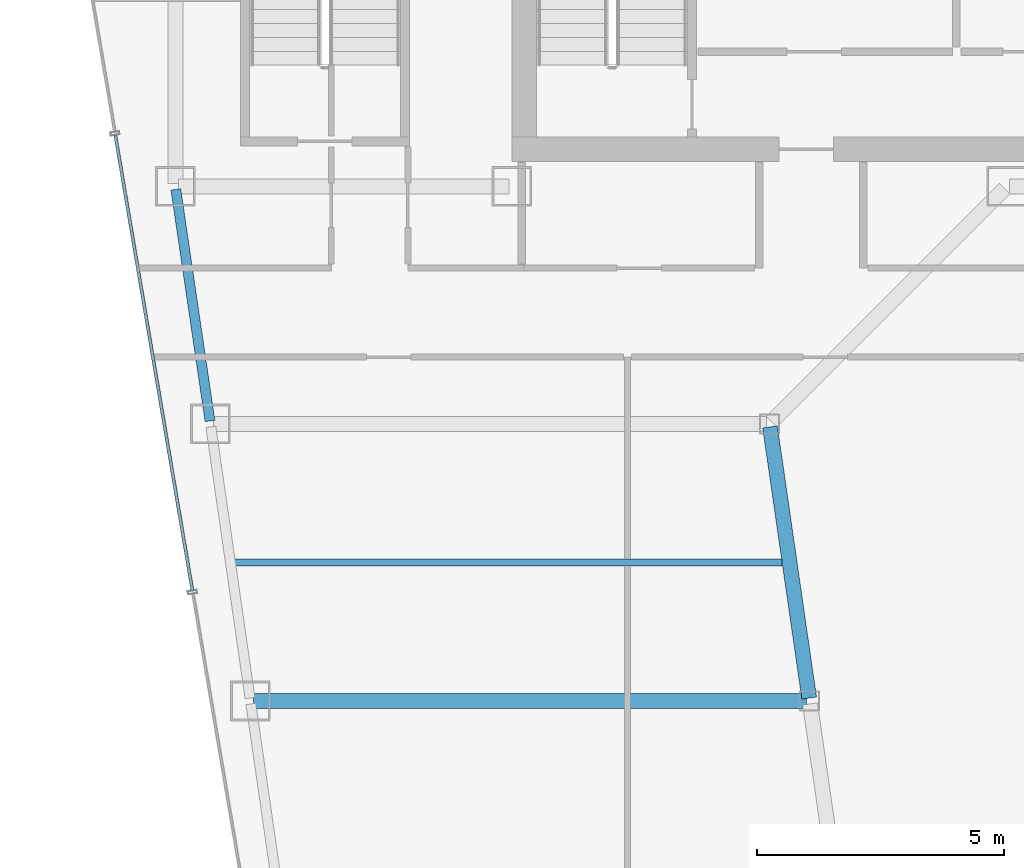
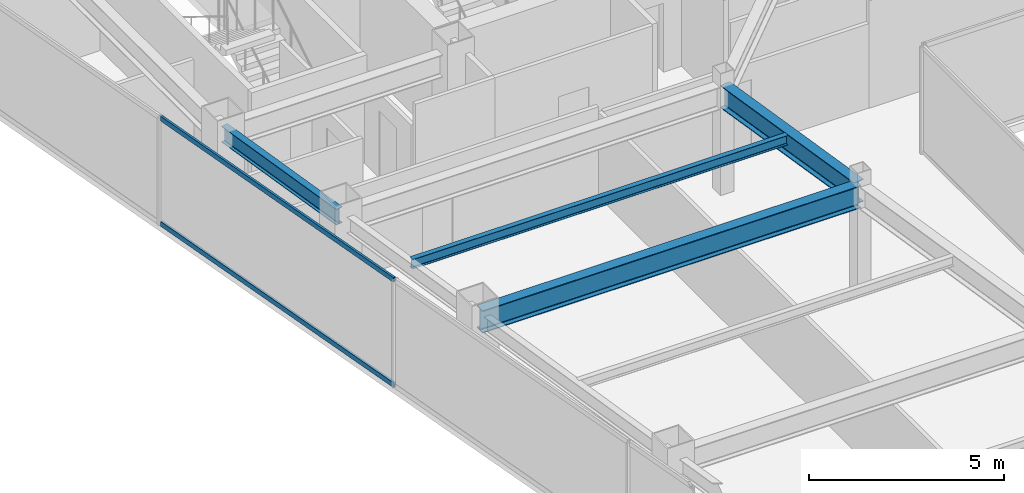
# One storey, part 10 of 34: 4 beams, 2 members, 1 element without a shape of its own.
"""IFC4 building model written with IfcOpenShell, lengths in metres."""

from ifc_helpers import new_model, si_unit, direction, frame, origin, origin_2d, place, context, subcontext, project, spatial, hollow_rectangle, i_section, extrude, material, material_profile, profile_set, type_object, element, aggregate, save


model = new_model("IFC4")

# Units and contexts
model_context = context("Model", 3, precision=1e-05, world=origin(), true_north=direction((0.0, 1.0)))
body_context = subcontext(model_context, "Body", "Model", "MODEL_VIEW")
ifc_project = project(units=[si_unit("LENGTHUNIT", "METRE"), si_unit("AREAUNIT", "SQUARE_METRE"), si_unit("VOLUMEUNIT", "CUBIC_METRE"), si_unit("PLANEANGLEUNIT", "RADIAN"), si_unit("MASSUNIT", "GRAM", prefix="KILO")], contexts=[model_context])

# Site, building, storey
site_placement = place(None, origin())
site = spatial("IfcSite", under=ifc_project, at=site_placement, CompositionType="ELEMENT")
building_placement = place(site_placement, origin())
building = spatial("IfcBuilding", under=site, at=building_placement, Name="Saevonmaru Cultural Tower", CompositionType="ELEMENT")
storey_placement = place(building_placement, frame((0.0, 0.0, 220.800048828125)))
storey = spatial("IfcBuildingStorey", under=building, at=storey_placement, Name="L51", CompositionType="ELEMENT", Elevation=220.800048828125)

# Beams
ifc_material_1 = material(Name="Steel SM355", Category="steel")
ifc_material_profile_1 = material_profile(ifc_material_1, i_section(OverallWidth=0.300048828125, OverallDepth=0.699951171875, WebThickness=0.012939453125, FlangeThickness=0.02392578125, FilletRadius=0.02587890625, at=origin_2d()), Name="H-700x300x13x24")
ifc_profile_set_1 = profile_set([ifc_material_profile_1], Name="Steel SM355")
beam_type_1 = type_object("IfcBeamType", Name="BM-G-H700", PredefinedType="BEAM", material=ifc_profile_set_1)
beam_1_placement = place(storey_placement, frame((19.6083984375, 32.059326171875, 3.0), z_axis=(-0.142964121327, 0.989727871697, 0.0), x_axis=(-0.989727871697, -0.142964121327, 0.0)))
element("IfcBeam", 1, at=beam_1_placement, inside=storey, type_object=beam_type_1, Name="L51 West Atrium Girder 3", PredefinedType="BEAM", context=body_context, shape_type="SweptSolid", body=[
    extrude(i_section(OverallWidth=0.300048828125, OverallDepth=0.699951171875, WebThickness=0.012939453125, FlangeThickness=0.02392578125, FilletRadius=0.02587890625, at=origin_2d()), origin(), (0.0, 0.0, 1.0), 5.5380859375),
])
beam_2_placement = place(storey_placement, frame((8.376953125, 32.0, 3.0), z_axis=(1.0, 0.0, 0.0), x_axis=(0.0, 1.0, 0.0)))
element("IfcBeam", 2, at=beam_2_placement, inside=storey, type_object=beam_type_1, Name="L51 West Wing Transverse Girder 3", PredefinedType="BEAM", context=body_context, shape_type="SweptSolid", body=[
    extrude(i_section(OverallWidth=0.300048828125, OverallDepth=0.699951171875, WebThickness=0.012939453125, FlangeThickness=0.02392578125, FilletRadius=0.02587890625, at=origin_2d()), origin(), (0.0, 0.0, 1.0), 11.179931640625),
])
ifc_material_profile_2 = material_profile(ifc_material_1, i_section(OverallWidth=0.14990234375, OverallDepth=0.300048828125, WebThickness=0.006591796875, FlangeThickness=0.009033203125, FilletRadius=0.012939453125, at=origin_2d()), Name="H-300x150x6.5x9")
ifc_profile_set_2 = profile_set([ifc_material_profile_2], Name="Steel SM355")
beam_type_2 = type_object("IfcBeamType", Name="BM-J-H300", PredefinedType="JOIST", material=ifc_profile_set_2)
beam_3_placement = place(storey_placement, frame((7.972412109375, 34.800048828125, 3.199951171875), z_axis=(1.0, 0.0, 0.0), x_axis=(0.0, 1.0, 0.0)))
element("IfcBeam", 3, at=beam_3_placement, inside=storey, type_object=beam_type_2, Name="L51 West Wing Floor Joist 3", PredefinedType="JOIST", context=body_context, shape_type="SweptSolid", body=[
    extrude(i_section(OverallWidth=0.14990234375, OverallDepth=0.300048828125, WebThickness=0.006591796875, FlangeThickness=0.009033203125, FilletRadius=0.012939453125, at=origin_2d()), origin(), (0.0, 0.0, 1.0), 11.08203125),
])
ifc_material_profile_3 = material_profile(ifc_material_1, i_section(OverallWidth=0.199951171875, OverallDepth=0.5, WebThickness=0.010009765625, FlangeThickness=0.01611328125, FilletRadius=0.02001953125, at=origin_2d()), Name="H-500x200x10x16")
ifc_profile_set_3 = profile_set([ifc_material_profile_3], Name="Steel SM355")
beam_type_3 = type_object("IfcBeamType", Name="BM-SP-H500", PredefinedType="SPANDREL", material=ifc_profile_set_3)
beam_4_placement = place(storey_placement, frame((7.499267578125, 37.659423828125, 3.099853515625), z_axis=(-0.145912860028, 0.989297446312, 0.0), x_axis=(-0.989297446312, -0.145912860028, 0.0)))
element("IfcBeam", 4, at=beam_4_placement, inside=storey, type_object=beam_type_3, Name="L51 West Splayed Spandrel 4", PredefinedType="SPANDREL", context=body_context, shape_type="SweptSolid", body=[
    extrude(i_section(OverallWidth=0.199951171875, OverallDepth=0.5, WebThickness=0.010009765625, FlangeThickness=0.01611328125, FilletRadius=0.02001953125, at=origin_2d()), origin(), (0.0, 0.0, 1.0), 4.731689453125),
])

# Curtain wall, members
ifc_material_2 = material(Name="Satin Bronze Anodised Aluminium", Category="aluminium")
curtain_wall_type = type_object("IfcCurtainWallType", Name="CW-TYP-B", PredefinedType="NOTDEFINED", material=ifc_material_2)
curtain_wall_placement = place(storey_placement, origin())
curtain_wall = element("IfcCurtainWall", 5, at=curtain_wall_placement, inside=storey, type_object=curtain_wall_type, Name="L51 Unitised Curtain Wall E12", PredefinedType="NOTDEFINED")
ifc_material_profile_4 = material_profile(ifc_material_2, hollow_rectangle(XDim=0.06494140625, YDim=0.14990234375, WallThickness=0.00390625, at=origin_2d()), Name="ALU-TRAN-150x65x4")
ifc_profile_set_4 = profile_set([ifc_material_profile_4], Name="Satin Bronze Anodised Aluminium")
member_type = type_object("IfcMemberType", Name="TR-CW-150x65", PredefinedType="USERDEFINED", material=ifc_profile_set_4)
member_1_placement = place(storey_placement, frame((5.5849609375, 43.4384765625, 0.032470703125), z_axis=(0.166916960754, -0.985970957084, 0.0), x_axis=(0.985970957084, 0.166916960754, 0.0)))
member_1 = element("IfcMember", 6, at=member_1_placement, type_object=member_type, Name="CW-TW-L51-E12 transom 2.1", ObjectType="TRANSOM", PredefinedType="USERDEFINED", context=body_context, shape_type="SweptSolid", body=[
    extrude(hollow_rectangle(XDim=0.06494140625, YDim=0.14990234375, WallThickness=0.00390625, at=origin_2d()), origin(), (0.0, 0.0, 1.0), 9.337646484375),
])
member_2_placement = place(storey_placement, frame((5.5849609375, 43.4384765625, 3.3173828125), z_axis=(0.166916960754, -0.985970957084, 0.0), x_axis=(0.985970957084, 0.166916960754, 0.0)))
member_2 = element("IfcMember", 7, at=member_2_placement, type_object=member_type, Name="CW-TW-L51-E12 transom 2.2", ObjectType="TRANSOM", PredefinedType="USERDEFINED", context=body_context, shape_type="SweptSolid", body=[
    extrude(hollow_rectangle(XDim=0.06494140625, YDim=0.14990234375, WallThickness=0.00390625, at=origin_2d()), origin(), (0.0, 0.0, 1.0), 9.337646484375),
])
aggregate(curtain_wall, [member_1, member_2])

save(model, "model.ifc")
